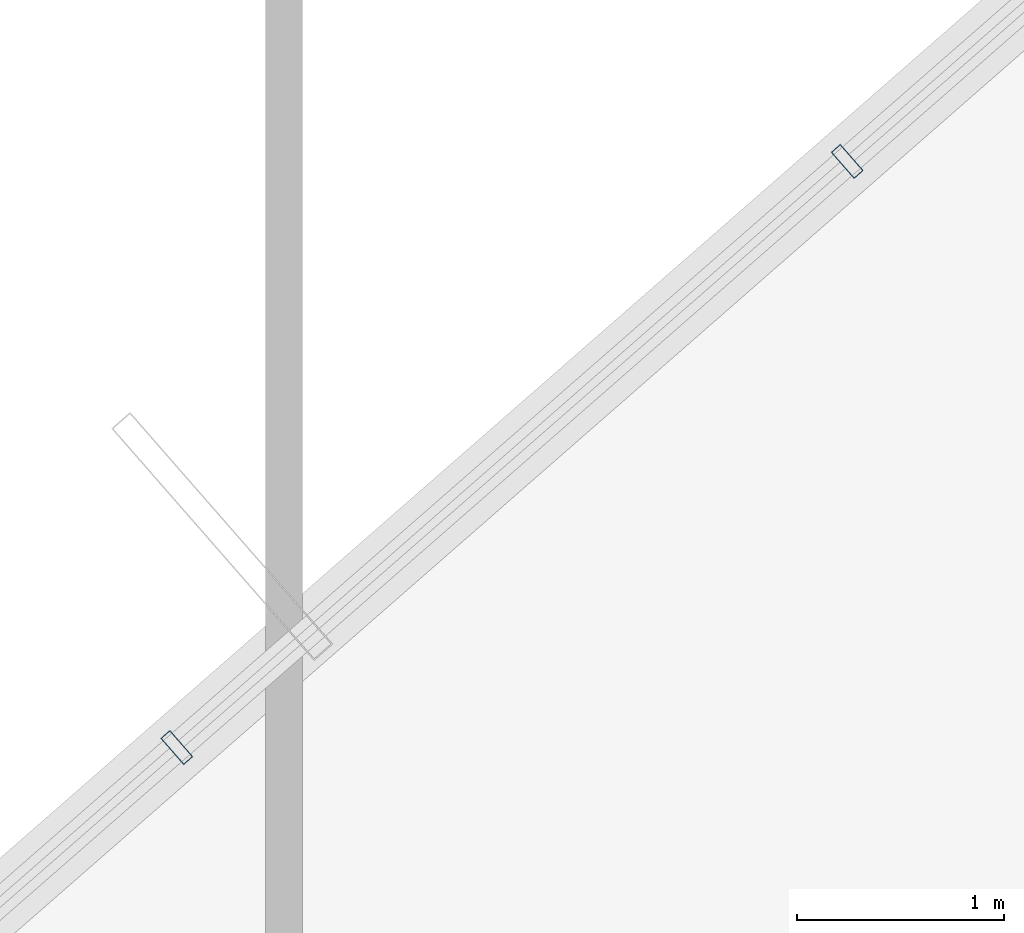
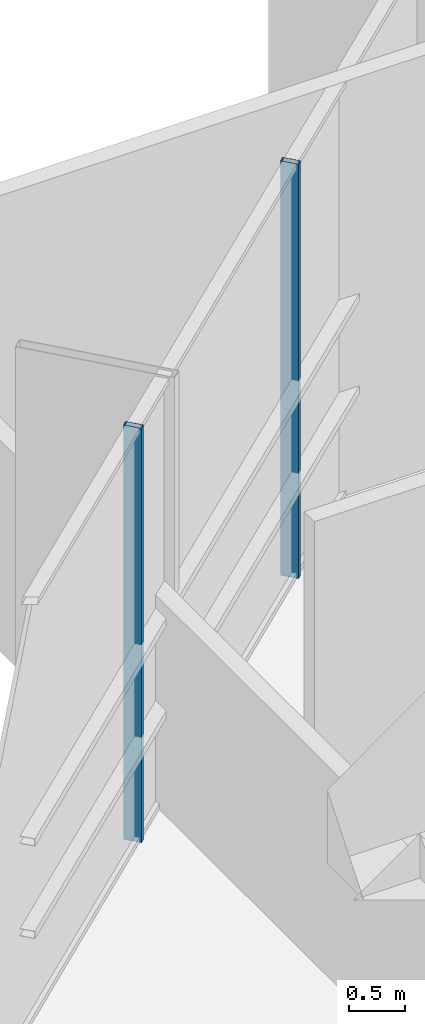
# One storey, part 22 of 36: 2 members, 1 element without a shape of its own.
"""IFC4 building model written with IfcOpenShell, lengths in metres."""

from ifc_helpers import new_model, si_unit, direction, frame, origin, origin_2d, place, context, subcontext, project, spatial, hollow_rectangle, extrude, source, transform, mapped, material, layer, layer_set, material_profile, profile_set, type_object, element, aggregate, save


model = new_model("IFC4")

# Units and contexts
model_context = context("Model", 3, precision=1e-05, world=origin(), true_north=direction((0.0, 1.0)))
body_context = subcontext(model_context, "Body", "Model", "MODEL_VIEW")
ifc_project = project(units=[si_unit("LENGTHUNIT", "METRE"), si_unit("AREAUNIT", "SQUARE_METRE"), si_unit("VOLUMEUNIT", "CUBIC_METRE"), si_unit("PLANEANGLEUNIT", "RADIAN"), si_unit("MASSUNIT", "GRAM", prefix="KILO")], contexts=[model_context])

# Site, building, storey
site_placement = place(None, origin())
site = spatial("IfcSite", under=ifc_project, at=site_placement, CompositionType="ELEMENT")
building_placement = place(site_placement, origin())
building = spatial("IfcBuilding", under=site, at=building_placement, Name="Veraguas Prism Commons", CompositionType="ELEMENT")
storey_placement = place(building_placement, frame((0.0, 0.0, 169.550048828125)))
storey = spatial("IfcBuildingStorey", under=building, at=storey_placement, Name="L48", CompositionType="ELEMENT", Elevation=169.550048828125)

# Curtain wall, members
ifc_material = material(Name="Anodised aluminium EN AW-6063 T6", Category="aluminium")
ifc_layer = layer(ifc_material, 0.169921875, Name="Unitised Flush Curtain Wall Zone 2", Category="aluminium")
ifc_layer_set = layer_set([ifc_layer], Name="Anodised aluminium EN AW-6063 T6")
curtain_wall_type = type_object("IfcCurtainWallType", Name="Unitised Flush Curtain Wall Zone 2", PredefinedType="NOTDEFINED", material=ifc_layer_set)
curtain_wall_placement = place(storey_placement, origin())
curtain_wall = element("IfcCurtainWall", 1, at=curtain_wall_placement, inside=storey, type_object=curtain_wall_type, Name="Tower Facade Curtain Wall L48-F2", PredefinedType="NOTDEFINED")
ifc_material_profile = material_profile(ifc_material, hollow_rectangle(XDim=0.06005859375, YDim=0.169921875, WallThickness=0.00390625, at=origin_2d()), Name="AL60X170X4")
ifc_profile_set = profile_set([ifc_material_profile], Name="Anodised aluminium EN AW-6063 T6")
member_type = type_object("IfcMemberType", Name="Curtain Wall Mullion Lower AL 60x170x4", PredefinedType="MULLION", material=ifc_profile_set)
shared_shape = source(origin(), body_context, "Body", "SweptSolid", [
    extrude(hollow_rectangle(XDim=0.06005859375, YDim=0.169921875, WallThickness=0.00390625, at=origin_2d()), origin(), (0.0, 0.0, 1.0), 4.47998046875),
])
member_1_placement = place(storey_placement, frame((11.374755859375, 38.44189453125, 0.0), z_axis=(0.0, 0.0, 1.0), x_axis=(-0.752872280062, -0.658166642967, 0.0)))
member_1 = element("IfcMember", 2, at=member_1_placement, type_object=member_type, Name="CW-Z2 Mullion 3", PredefinedType="MULLION", context=body_context, shape_type="MappedRepresentation", body=[
    mapped(shared_shape, transform((0.0, 0.0, 0.0), scale=1.0)),
])
member_2_placement = place(storey_placement, frame((8.131103515625, 35.606201171875, 0.0), z_axis=(0.0, 0.0, 1.0), x_axis=(-0.752872280062, -0.658166642967, 0.0)))
member_2 = element("IfcMember", 3, at=member_2_placement, type_object=member_type, Name="CW-Z2 Mullion 4", PredefinedType="MULLION", context=body_context, shape_type="MappedRepresentation", body=[
    mapped(shared_shape, transform((0.0, 0.0, 0.0), scale=1.0)),
])
aggregate(curtain_wall, [member_1, member_2])

save(model, "model.ifc")
